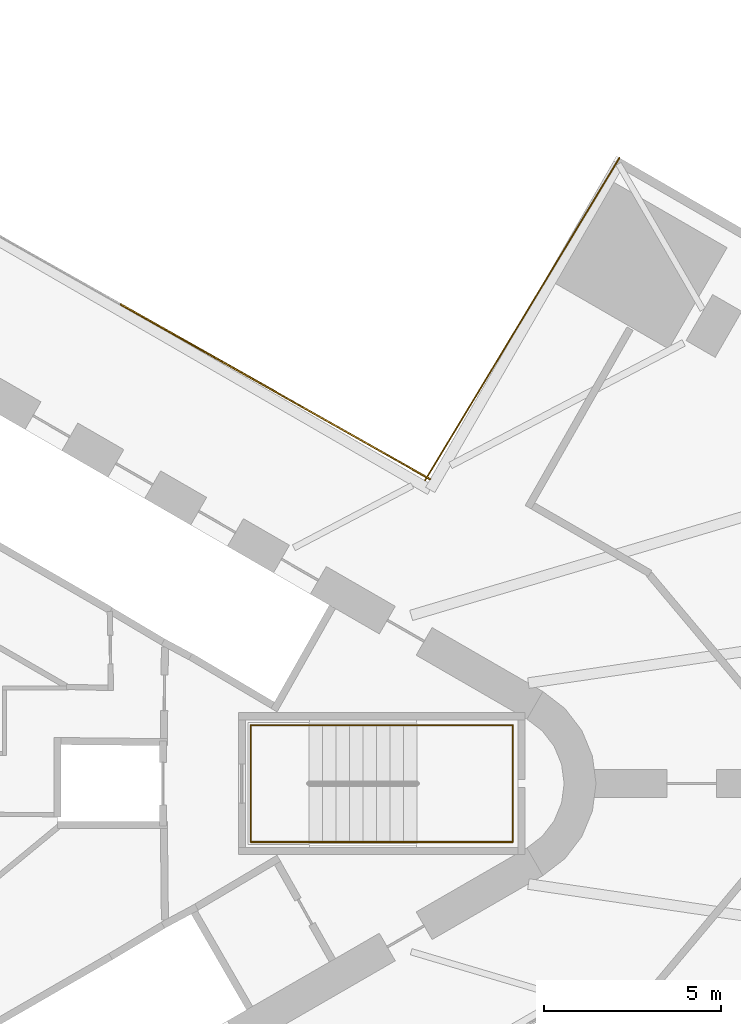
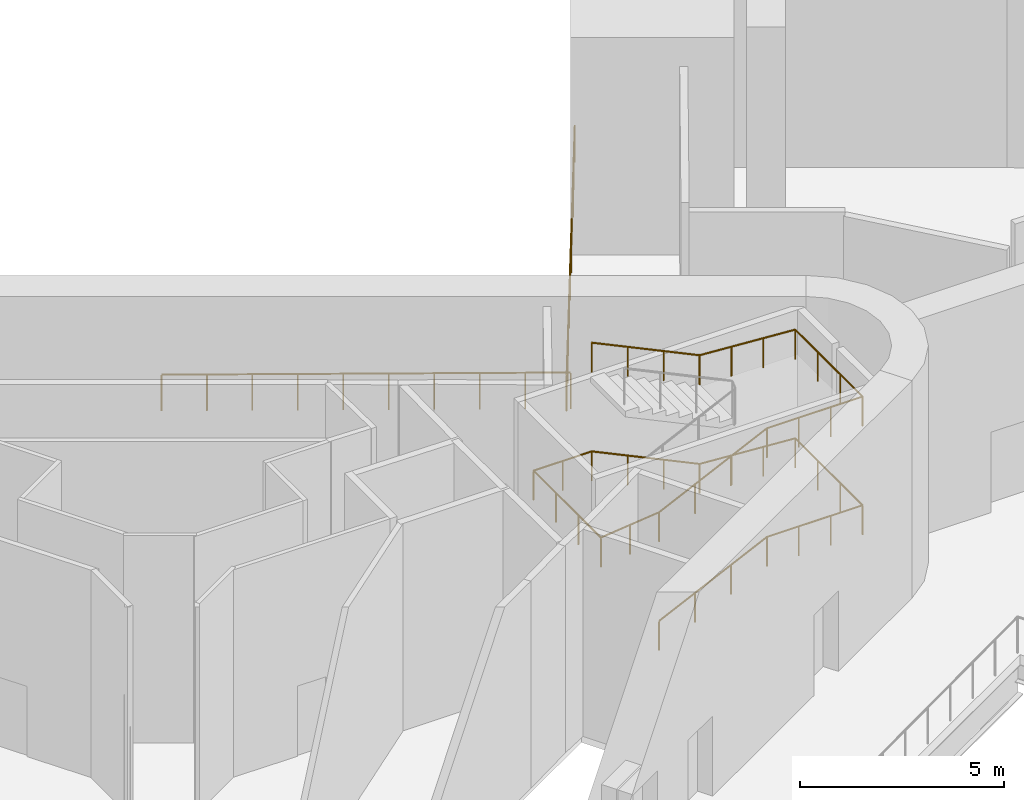
# One storey, part 11 of 11: 3 railings.
"""IFC4 building model written with IfcOpenShell, lengths in metres."""

from ifc_helpers import new_model, si_unit, direction, frame, origin, origin_2d, place, context, subcontext, project, spatial, circle, extrude, material, type_object, element, save


model = new_model("IFC4")

# Units and contexts
model_context = context("Model", 3, precision=1e-05, world=origin(), true_north=direction((0.0, 1.0)))
body_context = subcontext(model_context, "Body", "Model", "MODEL_VIEW")
ifc_project = project(units=[si_unit("LENGTHUNIT", "METRE"), si_unit("AREAUNIT", "SQUARE_METRE"), si_unit("VOLUMEUNIT", "CUBIC_METRE"), si_unit("PLANEANGLEUNIT", "RADIAN"), si_unit("MASSUNIT", "GRAM", prefix="KILO")], contexts=[model_context])

# Site, building, storey
site_placement = place(None, origin())
site = spatial("IfcSite", under=ifc_project, at=site_placement, CompositionType="ELEMENT")
building_placement = place(site_placement, origin())
building = spatial("IfcBuilding", under=site, at=building_placement, Name="Tanit Gate Tower", CompositionType="ELEMENT")
storey_placement = place(building_placement, frame((0.0, 0.0, 9.0)))
storey = spatial("IfcBuildingStorey", under=building, at=storey_placement, Name="L01", CompositionType="ELEMENT", Elevation=9.0)

# Railings
ifc_material_1 = material(Name="Stainless steel", Category="steel")
railing_type_1 = type_object("IfcRailingType", Name="Guard 1100 stainless steel balustrade", PredefinedType="GUARDRAIL", material=ifc_material_1)
railing_1_placement = place(storey_placement, frame((16.37353515625, 8.56005859375, 0.0)))
element("IfcRailing", 1, at=railing_1_placement, inside=storey, type_object=railing_type_1, Name="Tunnel edge guard L01 5", PredefinedType="GUARDRAIL", context=body_context, shape_type="SweptSolid", body=[
    extrude(circle(Radius=0.02392578125, at=origin_2d()), frame((0.0, 0.0, 1.076171875), z_axis=(0.516210356507, 0.856461830927, 0.0), x_axis=(-0.856461830927, 0.516210356507, 0.0)), (0.0, 0.0, 1.0), 10.630859375),
    extrude(circle(Radius=0.02099609375, at=origin_2d()), origin(), (0.0, 0.0, 1.0), 1.052001953125),
    extrude(circle(Radius=0.02099609375, at=origin_2d()), frame((0.60986328125, 1.01171875, 0.0)), (0.0, 0.0, 1.0), 1.052001953125),
    extrude(circle(Radius=0.02099609375, at=origin_2d()), frame((1.219482421875, 2.0234375, 0.0)), (0.0, 0.0, 1.0), 1.052001953125),
    extrude(circle(Radius=0.02099609375, at=origin_2d()), frame((1.829345703125, 3.034912109375, 0.0)), (0.0, 0.0, 1.0), 1.052001953125),
    extrude(circle(Radius=0.02099609375, at=origin_2d()), frame((2.43896484375, 4.046630859375, 0.0)), (0.0, 0.0, 1.0), 1.052001953125),
    extrude(circle(Radius=0.02099609375, at=origin_2d()), frame((3.048828125, 5.058349609375, 0.0)), (0.0, 0.0, 1.0), 1.052001953125),
    extrude(circle(Radius=0.02099609375, at=origin_2d()), frame((3.658447265625, 6.070068359375, 0.0)), (0.0, 0.0, 1.0), 1.052001953125),
    extrude(circle(Radius=0.02099609375, at=origin_2d()), frame((4.268310546875, 7.08154296875, 0.0)), (0.0, 0.0, 1.0), 1.052001953125),
    extrude(circle(Radius=0.02099609375, at=origin_2d()), frame((4.8779296875, 8.09326171875, 0.0)), (0.0, 0.0, 1.0), 1.052001953125),
    extrude(circle(Radius=0.02099609375, at=origin_2d()), frame((5.48779296875, 9.10498046875, 0.0)), (0.0, 0.0, 1.0), 1.052001953125),
])
railing_2_placement = place(storey_placement, frame((7.78271484375, 13.52685546875, 0.0)))
element("IfcRailing", 2, at=railing_2_placement, inside=storey, type_object=railing_type_1, Name="Tunnel edge guard L01 6", PredefinedType="GUARDRAIL", context=body_context, shape_type="SweptSolid", body=[
    extrude(circle(Radius=0.02392578125, at=origin_2d()), frame((0.0, 0.0, 1.076171875), z_axis=(0.870681662692, -0.491846970359, 0.0), x_axis=(0.491846970359, 0.870681662692, 0.0)), (0.0, 0.0, 1.0), 10.023681640625),
    extrude(circle(Radius=0.02099609375, at=origin_2d()), origin(), (0.0, 0.0, 1.0), 1.052001953125),
    extrude(circle(Radius=0.02099609375, at=origin_2d()), frame((0.9697265625, -0.5478515625, 0.0)), (0.0, 0.0, 1.0), 1.052001953125),
    extrude(circle(Radius=0.02099609375, at=origin_2d()), frame((1.939453125, -1.095703125, 0.0)), (0.0, 0.0, 1.0), 1.052001953125),
    extrude(circle(Radius=0.02099609375, at=origin_2d()), frame((2.9091796875, -1.643310546875, 0.0)), (0.0, 0.0, 1.0), 1.052001953125),
    extrude(circle(Radius=0.02099609375, at=origin_2d()), frame((3.87890625, -2.191162109375, 0.0)), (0.0, 0.0, 1.0), 1.052001953125),
    extrude(circle(Radius=0.02099609375, at=origin_2d()), frame((4.8486328125, -2.739013671875, 0.0)), (0.0, 0.0, 1.0), 1.052001953125),
    extrude(circle(Radius=0.02099609375, at=origin_2d()), frame((5.818359375, -3.286865234375, 0.0)), (0.0, 0.0, 1.0), 1.052001953125),
    extrude(circle(Radius=0.02099609375, at=origin_2d()), frame((6.7880859375, -3.83447265625, 0.0)), (0.0, 0.0, 1.0), 1.052001953125),
    extrude(circle(Radius=0.02099609375, at=origin_2d()), frame((7.7578125, -4.38232421875, 0.0)), (0.0, 0.0, 1.0), 1.052001953125),
    extrude(circle(Radius=0.02099609375, at=origin_2d()), frame((8.7275390625, -4.93017578125, 0.0)), (0.0, 0.0, 1.0), 1.052001953125),
])
ifc_material_2 = material(Name="Stainless steel handrail", Category="steel")
railing_type_2 = type_object("IfcRailingType", Name="INT-STAIR-HANDRAIL", PredefinedType="HANDRAIL", material=ifc_material_2)
railing_3_placement = place(storey_placement, frame((13.094970703125, -1.64990234375, 0.1806640625)))
element("IfcRailing", 3, at=railing_3_placement, inside=storey, type_object=railing_type_2, Name="L01 S1 stair handrail 1", PredefinedType="HANDRAIL", context=body_context, shape_type="SweptSolid", body=[
    extrude(circle(Radius=0.02392578125, at=origin_2d()), frame((0.0, 0.0, 0.8759765625), z_axis=(0.903839427737, 0.0, 0.427871813594), x_axis=(0.0, 1.0, 0.0)), (0.0, 0.0, 1.0), 3.375732421875),
    extrude(circle(Radius=0.02392578125, at=origin_2d()), frame((3.051025390625, 0.0, 2.3203125), z_axis=(1.0, 0.0, 0.0), x_axis=(0.0, 1.0, 0.0)), (0.0, 0.0, 1.0), 2.7041015625),
    extrude(circle(Radius=0.02392578125, at=origin_2d()), frame((5.755126953125, 0.0, 2.3203125), z_axis=(0.0, 1.0, 0.0), x_axis=(-1.0, 0.0, 0.0)), (0.0, 0.0, 1.0), 3.2998046875),
    extrude(circle(Radius=0.02392578125, at=origin_2d()), frame((5.755126953125, 3.2998046875, 2.3203125), z_axis=(-0.997775581046, 0.0, 0.06666250722), x_axis=(0.0, -1.0, 0.0)), (0.0, 0.0, 1.0), 2.710205078125),
    extrude(circle(Radius=0.02392578125, at=origin_2d()), frame((3.051025390625, 3.2998046875, 2.5009765625), z_axis=(-0.903839427737, 0.0, 0.427871813594), x_axis=(0.0, -1.0, 0.0)), (0.0, 0.0, 1.0), 3.375732421875),
    extrude(circle(Radius=0.02392578125, at=origin_2d()), frame((0.0, 3.2998046875, 3.9453125), z_axis=(-1.0, 0.0, 0.0), x_axis=(0.0, -1.0, 0.0)), (0.0, 0.0, 1.0), 1.64501953125),
    extrude(circle(Radius=0.02392578125, at=origin_2d()), frame((-1.64501953125, 3.2998046875, 3.9453125), z_axis=(0.0, -1.0, 0.0), x_axis=(1.0, 0.0, 0.0)), (0.0, 0.0, 1.0), 3.2998046875),
    extrude(circle(Radius=0.02392578125, at=origin_2d()), frame((-1.64501953125, 0.0, 3.9453125), z_axis=(0.994023260866, 0.0, 0.109168479228), x_axis=(0.0, 1.0, 0.0)), (0.0, 0.0, 1.0), 1.655029296875),
    extrude(circle(Radius=0.02392578125, at=origin_2d()), frame((0.0, 0.0, 4.1259765625), z_axis=(0.903839427737, 0.0, 0.427871813594), x_axis=(0.0, 1.0, 0.0)), (0.0, 0.0, 1.0), 3.375732421875),
    extrude(circle(Radius=0.02392578125, at=origin_2d()), frame((3.051025390625, 0.0, 5.5703125), z_axis=(1.0, 0.0, 0.0), x_axis=(0.0, 1.0, 0.0)), (0.0, 0.0, 1.0), 2.7041015625),
    extrude(circle(Radius=0.02392578125, at=origin_2d()), frame((5.755126953125, 0.0, 5.5703125), z_axis=(0.0, 1.0, 0.0), x_axis=(-1.0, 0.0, 0.0)), (0.0, 0.0, 1.0), 3.2998046875),
    extrude(circle(Radius=0.02392578125, at=origin_2d()), frame((5.755126953125, 3.2998046875, 5.5703125), z_axis=(-0.997775581046, 0.0, 0.06666250722), x_axis=(0.0, -1.0, 0.0)), (0.0, 0.0, 1.0), 2.710205078125),
    extrude(circle(Radius=0.02392578125, at=origin_2d()), frame((3.051025390625, 3.2998046875, 5.7509765625), z_axis=(-0.903839427737, 0.0, 0.427871813594), x_axis=(0.0, -1.0, 0.0)), (0.0, 0.0, 1.0), 3.375732421875),
    extrude(circle(Radius=0.02099609375, at=origin_2d()), origin(), (0.0, 0.0, 1.0), 0.851806640625),
    extrude(circle(Radius=0.02099609375, at=origin_2d()), frame((1.01708984375, 0.0, 0.4814453125)), (0.0, 0.0, 1.0), 0.851806640625),
    extrude(circle(Radius=0.02099609375, at=origin_2d()), frame((2.033935546875, 0.0, 0.962890625)), (0.0, 0.0, 1.0), 0.851806640625),
    extrude(circle(Radius=0.02099609375, at=origin_2d()), frame((3.051025390625, 0.0, 1.4443359375)), (0.0, 0.0, 1.0), 0.851806640625),
    extrude(circle(Radius=0.02099609375, at=origin_2d()), frame((3.952392578125, 0.0, 1.4443359375)), (0.0, 0.0, 1.0), 0.851806640625),
    extrude(circle(Radius=0.02099609375, at=origin_2d()), frame((4.853759765625, 0.0, 1.4443359375)), (0.0, 0.0, 1.0), 0.851806640625),
    extrude(circle(Radius=0.02099609375, at=origin_2d()), frame((5.755126953125, 0.0, 1.4443359375)), (0.0, 0.0, 1.0), 0.851806640625),
    extrude(circle(Radius=0.02099609375, at=origin_2d()), frame((5.755126953125, 1.099853515625, 1.4443359375)), (0.0, 0.0, 1.0), 0.851806640625),
    extrude(circle(Radius=0.02099609375, at=origin_2d()), frame((5.755126953125, 2.199951171875, 1.4443359375)), (0.0, 0.0, 1.0), 0.851806640625),
    extrude(circle(Radius=0.02099609375, at=origin_2d()), frame((5.755126953125, 3.2998046875, 1.4443359375)), (0.0, 0.0, 1.0), 0.851806640625),
    extrude(circle(Radius=0.02099609375, at=origin_2d()), frame((4.853759765625, 3.2998046875, 1.504638671875)), (0.0, 0.0, 1.0), 0.851806640625),
    extrude(circle(Radius=0.02099609375, at=origin_2d()), frame((3.952392578125, 3.2998046875, 1.564697265625)), (0.0, 0.0, 1.0), 0.851806640625),
    extrude(circle(Radius=0.02099609375, at=origin_2d()), frame((3.051025390625, 3.2998046875, 1.625)), (0.0, 0.0, 1.0), 0.851806640625),
    extrude(circle(Radius=0.02099609375, at=origin_2d()), frame((2.033935546875, 3.2998046875, 2.1064453125)), (0.0, 0.0, 1.0), 0.851806640625),
    extrude(circle(Radius=0.02099609375, at=origin_2d()), frame((1.01708984375, 3.2998046875, 2.587890625)), (0.0, 0.0, 1.0), 0.851806640625),
    extrude(circle(Radius=0.02099609375, at=origin_2d()), frame((0.0, 3.2998046875, 3.0693359375)), (0.0, 0.0, 1.0), 0.851806640625),
    extrude(circle(Radius=0.02099609375, at=origin_2d()), frame((-0.822509765625, 3.2998046875, 3.0693359375)), (0.0, 0.0, 1.0), 0.851806640625),
    extrude(circle(Radius=0.02099609375, at=origin_2d()), frame((-1.64501953125, 3.2998046875, 3.0693359375)), (0.0, 0.0, 1.0), 0.851806640625),
    extrude(circle(Radius=0.02099609375, at=origin_2d()), frame((-1.64501953125, 2.199951171875, 3.0693359375)), (0.0, 0.0, 1.0), 0.851806640625),
    extrude(circle(Radius=0.02099609375, at=origin_2d()), frame((-1.64501953125, 1.099853515625, 3.0693359375)), (0.0, 0.0, 1.0), 0.851806640625),
    extrude(circle(Radius=0.02099609375, at=origin_2d()), frame((-1.64501953125, 0.0, 3.0693359375)), (0.0, 0.0, 1.0), 0.851806640625),
    extrude(circle(Radius=0.02099609375, at=origin_2d()), frame((-0.822509765625, 0.0, 3.15966796875)), (0.0, 0.0, 1.0), 0.851806640625),
    extrude(circle(Radius=0.02099609375, at=origin_2d()), frame((0.0, 0.0, 3.25)), (0.0, 0.0, 1.0), 0.851806640625),
    extrude(circle(Radius=0.02099609375, at=origin_2d()), frame((1.01708984375, 0.0, 3.7314453125)), (0.0, 0.0, 1.0), 0.851806640625),
    extrude(circle(Radius=0.02099609375, at=origin_2d()), frame((2.033935546875, 0.0, 4.212890625)), (0.0, 0.0, 1.0), 0.851806640625),
    extrude(circle(Radius=0.02099609375, at=origin_2d()), frame((3.051025390625, 0.0, 4.6943359375)), (0.0, 0.0, 1.0), 0.851806640625),
    extrude(circle(Radius=0.02099609375, at=origin_2d()), frame((3.952392578125, 0.0, 4.6943359375)), (0.0, 0.0, 1.0), 0.851806640625),
    extrude(circle(Radius=0.02099609375, at=origin_2d()), frame((4.853759765625, 0.0, 4.6943359375)), (0.0, 0.0, 1.0), 0.851806640625),
    extrude(circle(Radius=0.02099609375, at=origin_2d()), frame((5.755126953125, 0.0, 4.6943359375)), (0.0, 0.0, 1.0), 0.851806640625),
    extrude(circle(Radius=0.02099609375, at=origin_2d()), frame((5.755126953125, 1.099853515625, 4.6943359375)), (0.0, 0.0, 1.0), 0.851806640625),
    extrude(circle(Radius=0.02099609375, at=origin_2d()), frame((5.755126953125, 2.199951171875, 4.6943359375)), (0.0, 0.0, 1.0), 0.851806640625),
    extrude(circle(Radius=0.02099609375, at=origin_2d()), frame((5.755126953125, 3.2998046875, 4.6943359375)), (0.0, 0.0, 1.0), 0.851806640625),
    extrude(circle(Radius=0.02099609375, at=origin_2d()), frame((4.853759765625, 3.2998046875, 4.754638671875)), (0.0, 0.0, 1.0), 0.851806640625),
    extrude(circle(Radius=0.02099609375, at=origin_2d()), frame((3.952392578125, 3.2998046875, 4.814697265625)), (0.0, 0.0, 1.0), 0.851806640625),
    extrude(circle(Radius=0.02099609375, at=origin_2d()), frame((3.051025390625, 3.2998046875, 4.875)), (0.0, 0.0, 1.0), 0.851806640625),
    extrude(circle(Radius=0.02099609375, at=origin_2d()), frame((2.033935546875, 3.2998046875, 5.3564453125)), (0.0, 0.0, 1.0), 0.851806640625),
    extrude(circle(Radius=0.02099609375, at=origin_2d()), frame((1.01708984375, 3.2998046875, 5.837890625)), (0.0, 0.0, 1.0), 0.851806640625),
    extrude(circle(Radius=0.02099609375, at=origin_2d()), frame((0.0, 3.2998046875, 6.3193359375)), (0.0, 0.0, 1.0), 0.851806640625),
])

save(model, "model.ifc")
